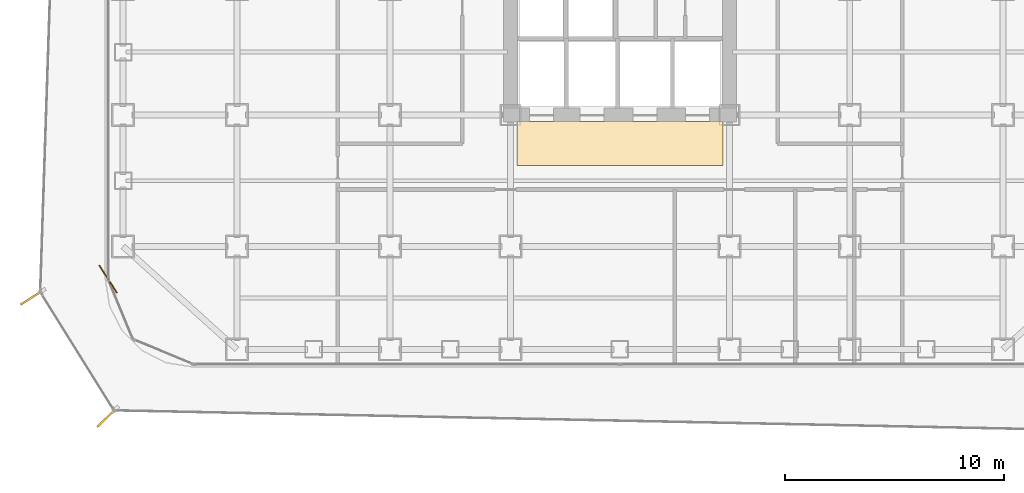
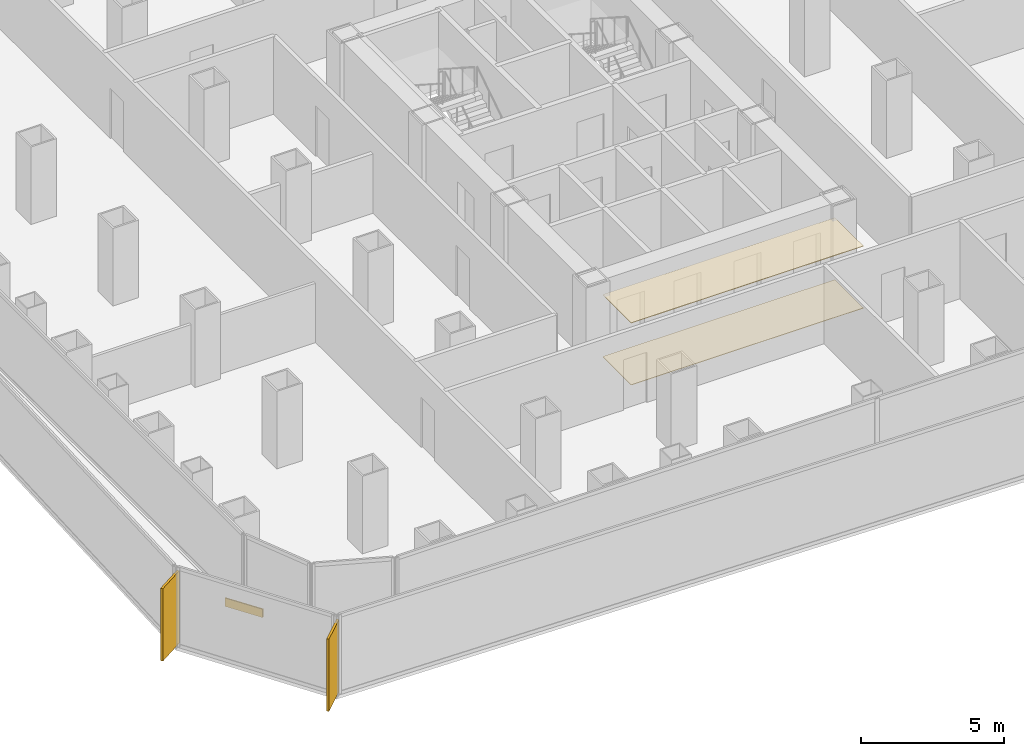
# One storey, part 19 of 21: 3 coverings, 2 shading devices.
"""IFC4 building model written with IfcOpenShell, lengths in metres."""

from ifc_helpers import new_model, si_unit, direction, frame, origin, origin_2d, place, context, subcontext, project, spatial, polyline, rectangle, outline, extrude, source, transform, mapped, material, layer, layer_set, type_object, element, save


model = new_model("IFC4")

# Units and contexts
model_context = context("Model", 3, precision=1e-05, world=origin(), true_north=direction((0.0, 1.0)))
body_context = subcontext(model_context, "Body", "Model", "MODEL_VIEW")
ifc_project = project(units=[si_unit("LENGTHUNIT", "METRE"), si_unit("AREAUNIT", "SQUARE_METRE"), si_unit("VOLUMEUNIT", "CUBIC_METRE"), si_unit("PLANEANGLEUNIT", "RADIAN"), si_unit("MASSUNIT", "GRAM", prefix="KILO")], contexts=[model_context])

# Site, building, storey
site_placement = place(None, origin())
site = spatial("IfcSite", under=ifc_project, at=site_placement, CompositionType="ELEMENT")
building_placement = place(site_placement, origin())
building = spatial("IfcBuilding", under=site, at=building_placement, Name="Kolveth Station Tower", CompositionType="ELEMENT")
storey_placement = place(building_placement, frame((0.0, 0.0, 47.699951171875)))
storey = spatial("IfcBuildingStorey", under=building, at=storey_placement, Name="L12", CompositionType="ELEMENT", Elevation=47.699951171875)

# Coverings
ifc_material_1 = material(Name="Acoustic mineral-fibre ceiling tile")
ifc_layer_1 = layer(ifc_material_1, 0.02490234375)
ifc_layer_set_1 = layer_set([ifc_layer_1], Name="Acoustic mineral-fibre ceiling tile")
covering_type_1 = type_object("IfcCoveringType", Name="Ceil_CL1", PredefinedType="CEILING", material=ifc_layer_set_1)
covering_1_placement = place(storey_placement, frame((0.0, 0.0, 2.650146484375)))
element("IfcCovering", 1, at=covering_1_placement, inside=storey, type_object=covering_type_1, Name="L12 Lift Lobby Suspended Ceiling", PredefinedType="CEILING", context=body_context, shape_type="SweptSolid", body=[
    extrude(outline(polyline([(18.800048828125, 9.199951171875), (28.199951171875, 9.199951171875), (28.199951171875, 11.199951171875), (18.800048828125, 11.199951171875), (18.800048828125, 9.199951171875)])), origin(), (0.0, 0.0, 1.0), 0.02490234375),
])
ifc_material_2 = material(Name="Honed terrazzo flooring")
ifc_layer_2 = layer(ifc_material_2, 0.02001953125)
ifc_layer_set_2 = layer_set([ifc_layer_2], Name="Honed terrazzo flooring")
covering_type_2 = type_object("IfcCoveringType", Name="Floor_FL1", PredefinedType="FLOORING", material=ifc_layer_set_2)
covering_2_placement = place(storey_placement, origin())
element("IfcCovering", 2, at=covering_2_placement, inside=storey, type_object=covering_type_2, Name="L12 Lift Lobby Floor Finish", PredefinedType="FLOORING", context=body_context, shape_type="SweptSolid", body=[
    extrude(outline(polyline([(18.800048828125, 9.199951171875), (28.199951171875, 9.199951171875), (28.199951171875, 11.199951171875), (18.800048828125, 11.199951171875), (18.800048828125, 9.199951171875)])), origin(), (0.0, 0.0, 1.0), 0.02001953125),
])

# Shading devices
ifc_material_3 = material(Name="Black anodized aluminium 6063-T6", Category="aluminium")
shading_device_type = type_object("IfcShadingDeviceType", Name="FIN_VF1", PredefinedType="USERDEFINED", material=ifc_material_3)
shared_shape_1 = source(origin(), body_context, "Body", "SweptSolid", [
    extrude(rectangle(XDim=1.25, YDim=0.090087890625, at=origin_2d()), origin(), (0.0, 0.0, 1.0), 3.10009765625),
])
for number, where, z_axis, x_axis, name in (
    (3, (-3.35693359375, 3.175048828125, 0.0), (0.0, 0.0, 1.0), (-0.843860006976, -0.536563405971, 0.0), "L12 Dark-Aluminium Solar Fin 7"),
    (4, (0.071044921875, -2.306884765625, 0.0), (0.0, 0.0, 1.0), (-0.720430079257, -0.693527577607, 0.0), "L12 Dark-Aluminium Solar Fin 8"),
):
    element("IfcShadingDevice", number, at=place(storey_placement, frame(where, z_axis=z_axis, x_axis=x_axis)), inside=storey, type_object=shading_device_type, Name=name, ObjectType="FIN", PredefinedType="USERDEFINED", context=body_context, shape_type="MappedRepresentation", body=[
        mapped(shared_shape_1, transform((0.0, 0.0, 0.0), x_axis=(1.0, 0.0, 0.0), y_axis=(0.0, 1.0, 0.0), z_axis=(0.0, 0.0, 1.0), scale=1.0)),
    ])

# Covering
ifc_material_4 = material(Name="Charcoal anodized aluminium spandrel cladding", Category="aluminium")
ifc_layer_3 = layer(ifc_material_4, 0.044921875)
ifc_layer_set_3 = layer_set([ifc_layer_3], Name="Charcoal anodized aluminium spandrel cladding")
covering_type_3 = type_object("IfcCoveringType", Name="Clad_CD1", PredefinedType="CLADDING", material=ifc_layer_set_3)
shared_shape_2 = source(origin(), body_context, "Body", "SweptSolid", [
    extrude(rectangle(XDim=1.5, YDim=0.044921875, at=origin_2d()), origin(), (0.0, 0.0, 1.0), 0.360107421875),
])
covering_3_placement = place(storey_placement, frame((0.1201171875, 4.0, 0.0), z_axis=(0.0, 0.0, 1.0), x_axis=(0.536563405971, -0.843860006976, 0.0)))
element("IfcCovering", 5, at=covering_3_placement, inside=storey, type_object=covering_type_3, Name="L12 Spandrel Edge Cladding 7", PredefinedType="CLADDING", context=body_context, shape_type="MappedRepresentation", body=[
    mapped(shared_shape_2, transform((0.0, 0.0, 0.0), x_axis=(1.0, 0.0, 0.0), y_axis=(0.0, 1.0, 0.0), z_axis=(0.0, 0.0, 1.0), scale=1.0)),
])

save(model, "model.ifc")
